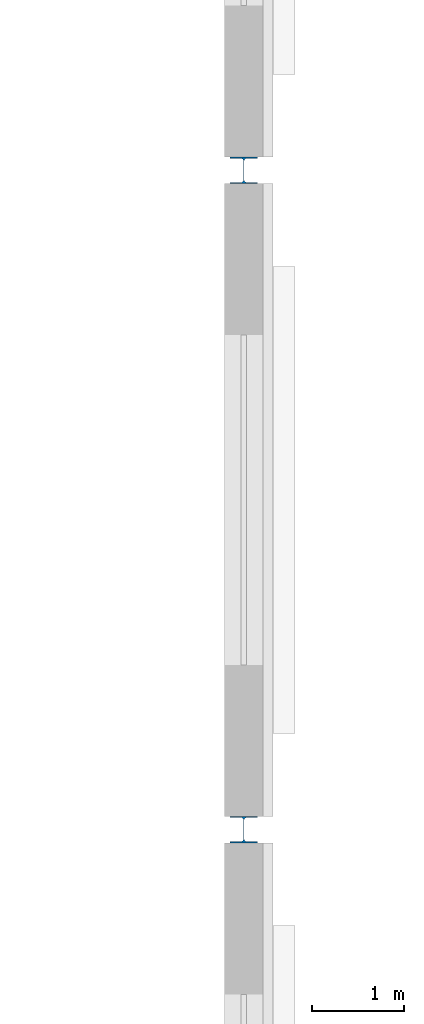
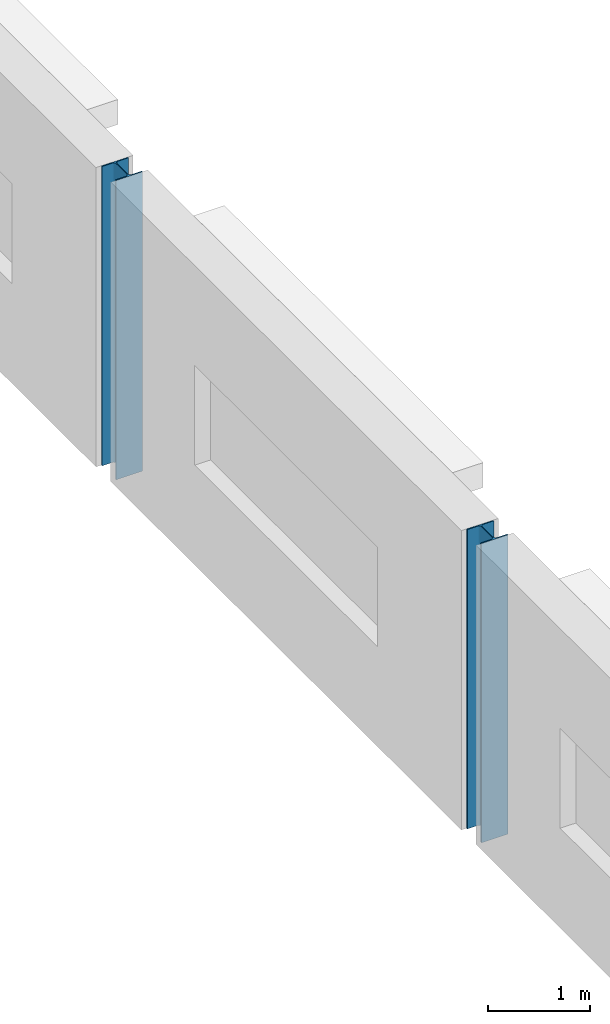
# One storey, part 17 of 124: 2 columns.
"""IFC4 building model written with IfcOpenShell, lengths in metres."""

from ifc_helpers import new_model, si_unit, direction, frame, origin, origin_2d, place, context, subcontext, project, spatial, i_section, extrude, material, material_profile, profile_set, type_object, element, save


model = new_model("IFC4")

# Units and contexts
model_context = context("Model", 3, precision=1e-05, world=origin(), true_north=direction((0.0, 1.0)))
body_context = subcontext(model_context, "Body", "Model", "MODEL_VIEW")
ifc_project = project(units=[si_unit("LENGTHUNIT", "METRE"), si_unit("AREAUNIT", "SQUARE_METRE"), si_unit("VOLUMEUNIT", "CUBIC_METRE"), si_unit("PLANEANGLEUNIT", "RADIAN"), si_unit("MASSUNIT", "GRAM", prefix="KILO")], contexts=[model_context])

# Site, building, storey
site_placement = place(None, origin())
site = spatial("IfcSite", under=ifc_project, at=site_placement, CompositionType="ELEMENT")
building_placement = place(site_placement, origin())
building = spatial("IfcBuilding", under=site, at=building_placement, Name="Kupolbacken Congress Centre", CompositionType="ELEMENT")
storey_placement = place(building_placement, frame((0.0, 0.0, 10.800048828125)))
storey = spatial("IfcBuildingStorey", under=building, at=storey_placement, Name="L03", CompositionType="ELEMENT", Elevation=10.800048828125)

# Columns
ifc_material = material(Name="Steel S355", Category="steel")
ifc_material_profile = material_profile(ifc_material, i_section(OverallWidth=0.300048828125, OverallDepth=0.2900390625, WebThickness=0.008544921875, FlangeThickness=0.013916015625, FilletRadius=0.027099609375, at=origin_2d()), Name="HEA 300")
ifc_profile_set = profile_set([ifc_material_profile], Name="Steel S355")
column_type = type_object("IfcColumnType", Name="C09 column HEA 300", PredefinedType="COLUMN", material=ifc_profile_set)
for number, where, z_axis, x_axis, name in (
    (1, (201.60009765625, 79.199951171875, 0.0), (0.0, 0.0, 1.0), (1.0, 0.0, 0.0), "S/col/C-H-PE06/L03"),
    (2, (201.60009765625, 86.39990234375, 0.0), (0.0, 0.0, 1.0), (1.0, 0.0, 0.0), "S/col/C-H-PE07/L03"),
):
    element("IfcColumn", number, at=place(storey_placement, frame(where, z_axis=z_axis, x_axis=x_axis)), inside=storey, type_object=column_type, Name=name, PredefinedType="COLUMN", context=body_context, shape_type="SweptSolid", body=[
        extrude(i_section(OverallWidth=0.300048828125, OverallDepth=0.2900390625, WebThickness=0.008544921875, FlangeThickness=0.013916015625, FilletRadius=0.027099609375, at=origin_2d()), origin(), (0.0, 0.0, 1.0), 3.599853515625),
    ])

save(model, "model.ifc")
